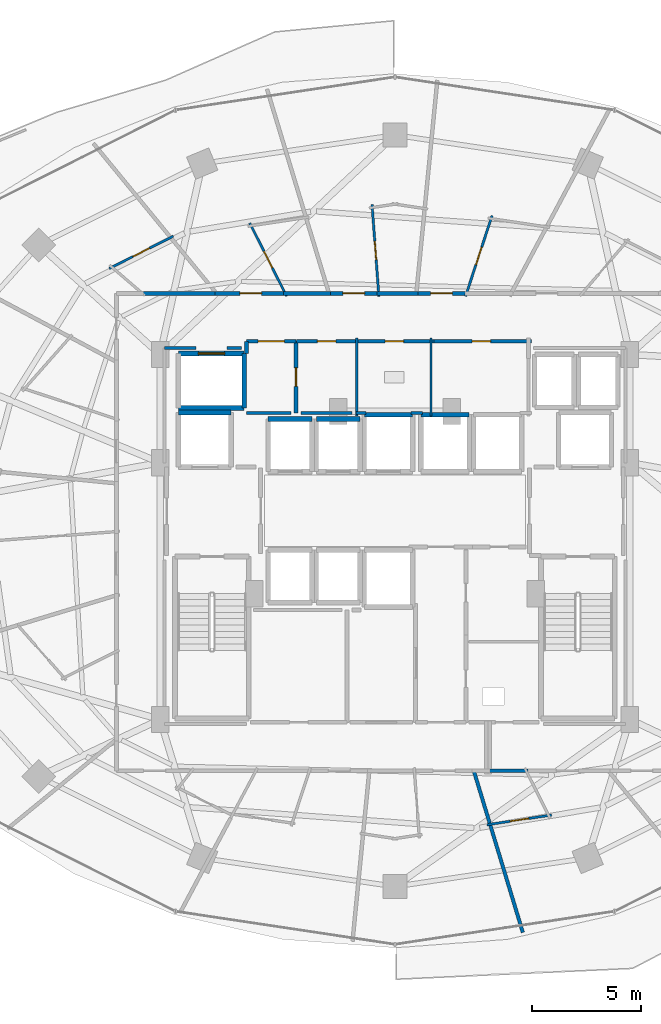
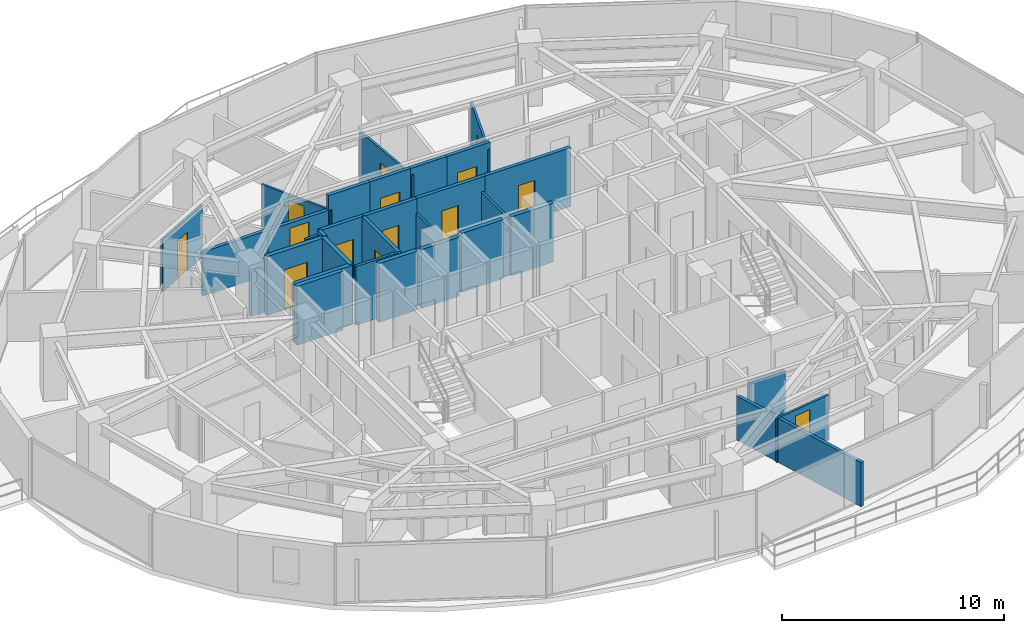
# One storey, part 23 of 29: 35 walls, 14 doors, 14 openings.
"""IFC4 building model written with IfcOpenShell, lengths in metres."""

from ifc_helpers import new_model, si_unit, direction, frame, frame_2d, origin, place, context, subcontext, project, spatial, rectangle, extrude, material, layer, layer_set, type_object, element, fill, save


model = new_model("IFC4")

# Units and contexts
model_context = context("Model", 3, precision=1e-05, world=origin(), true_north=direction((0.0, 1.0)))
body_context = subcontext(model_context, "Body", "Model", "MODEL_VIEW")
ifc_project = project(units=[si_unit("LENGTHUNIT", "METRE"), si_unit("AREAUNIT", "SQUARE_METRE"), si_unit("VOLUMEUNIT", "CUBIC_METRE"), si_unit("PLANEANGLEUNIT", "RADIAN"), si_unit("MASSUNIT", "GRAM", prefix="KILO")], contexts=[model_context])

# Site, building, storey
site_placement = place(None, origin())
site = spatial("IfcSite", under=ifc_project, at=site_placement, CompositionType="ELEMENT")
building_placement = place(site_placement, origin())
building = spatial("IfcBuilding", under=site, at=building_placement, Name="Vorneva Point Tower", CompositionType="ELEMENT")
storey_placement = place(building_placement, frame((0.0, 0.0, 110.300048828125)))
storey = spatial("IfcBuildingStorey", under=building, at=storey_placement, Name="L29", CompositionType="ELEMENT", Elevation=110.300048828125)

# Walls
ifc_material_1 = material(Name="Concrete B60 (C50/60)", Category="concrete")
ifc_layer_1 = layer(ifc_material_1, 0.5)
ifc_layer_set_1 = layer_set([ifc_layer_1], Name="Concrete B60 (C50/60)")
wall_type_1 = type_object("IfcWallType", Name="WL-CORE-500", PredefinedType="SHEAR", material=ifc_layer_set_1)
wall_1_placement = place(storey_placement, frame((30.5, 30.5, 0.0), z_axis=(0.0, 0.0, 1.0), x_axis=(-1.0, 0.0, 0.0)))
element("IfcWall", 1, at=wall_1_placement, inside=storey, type_object=wall_type_1, Name="L29 Lift FFL1 Shaft Wall +Y", PredefinedType="SHEAR", context=body_context, shape_type="SweptSolid", body=[
    extrude(rectangle(XDim=2.39990234375, YDim=0.219970703125, at=frame_2d((1.199951171875, 0.0))), origin(), (0.0, 0.0, 1.0), 3.239990234375),
])
ifc_material_2 = material(Name="Fire-rated acoustic gypsum stud partition", Category="gypsum")
ifc_layer_2 = layer(ifc_material_2, 0.110107421875)
ifc_layer_set_2 = layer_set([ifc_layer_2], Name="Fire-rated acoustic gypsum stud partition")
wall_type_2 = type_object("IfcWallType", Name="WL-PART-110", PredefinedType="PARTITIONING", material=ifc_layer_set_2)
for number, where, z_axis, x_axis, name in (
    (2, (36.25, 30.340087890625, 0.0), (0.0, 0.0, 1.0), (0.0, 1.0, 0.0), "L29 Interior Partition 017"),
    (3, (39.64990234375, 30.340087890625, 0.0), (0.0, 0.0, 1.0), (0.0, 1.0, 0.0), "L29 Interior Partition 019"),
):
    element("IfcWall", number, at=place(storey_placement, frame(where, z_axis=z_axis, x_axis=x_axis)), inside=storey, type_object=wall_type_2, Name=name, PredefinedType="PARTITIONING", context=body_context, shape_type="SweptSolid", body=[
        extrude(rectangle(XDim=3.559814453125, YDim=0.110107421875, at=frame_2d((1.77978515625, 0.0))), origin(), (0.0, 0.0, 1.0), 2.431884765625),
    ])

# Wall, opening, door
wall_2_placement = place(storey_placement, frame((41.232177734375, 35.81689453125, 0.0), z_axis=(0.0, 0.0, 1.0), x_axis=(0.312643466081, 0.949870550716, 0.0)))
wall_2 = element("IfcWall", 4, at=wall_2_placement, inside=storey, type_object=wall_type_2, Name="L29 Interior Partition 071", PredefinedType="PARTITIONING", context=body_context, shape_type="SweptSolid", body=[
    extrude(rectangle(XDim=3.885009765625, YDim=0.110107421875, at=frame_2d((1.9423828125, 0.0))), origin(), (0.0, 0.0, 1.0), 2.885986328125),
])
opening_1_placement = place(wall_2_placement, frame((1.517333984375, 0.0, 0.0)))
opening_1 = element("IfcOpeningElement", 5, at=opening_1_placement, cuts=wall_2, Name="Opening ID-02", PredefinedType="OPENING", context=body_context, shape_type="SweptSolid", body=[
    extrude(rectangle(XDim=0.85009765625, YDim=2.10009765625, at=frame_2d((0.425048828125, 1.050048828125))), frame((0.0, 0.06982421875, 0.0), z_axis=(0.0, -1.0, 0.0), x_axis=(1.0, 0.0, 0.0)), (0.0, 0.0, 1.0), 0.139892578125),
])
ifc_material_3 = material(Name="Engineered oak fire-rated door leaf", Category="wood")
door_type_1 = type_object("IfcDoorType", Name="DR-BATH-850", OperationType="NOTDEFINED", PredefinedType="DOOR", material=ifc_material_3)
door_1_placement = place(opening_1_placement, origin())
door_1 = element("IfcDoor", 6, at=door_1_placement, inside=storey, type_object=door_type_1, Name="L29 Door King Guest Room L29-03 / En-Suite Bathroom L29-03", OperationType="SINGLE_SWING_LEFT", OverallHeight=2.10009765625, OverallWidth=0.85009765625, PredefinedType="DOOR", context=body_context, shape_type="SweptSolid", body=[
    extrude(rectangle(XDim=0.85009765625, YDim=2.10009765625, at=frame_2d((0.425048828125, 1.050048828125))), frame((0.0, 0.02490234375, 0.0), z_axis=(0.0, -1.0, 0.0), x_axis=(1.0, 0.0, 0.0)), (0.0, 0.0, 1.0), 0.050048828125),
])
fill(opening_1, door_1)

wall_3_placement = place(storey_placement, frame((37.266357421875, 35.810302734375, 0.0), z_axis=(0.0, 0.0, 1.0), x_axis=(-0.074555567167, 0.99721686077, 0.0)))
wall_3 = element("IfcWall", 7, at=wall_3_placement, inside=storey, type_object=wall_type_2, Name="L29 Interior Partition 076", PredefinedType="PARTITIONING", context=body_context, shape_type="SweptSolid", body=[
    extrude(rectangle(XDim=4.220947265625, YDim=0.110107421875, at=frame_2d((2.1103515625, 0.0))), origin(), (0.0, 0.0, 1.0), 2.885986328125),
])
opening_2_placement = place(wall_3_placement, frame((1.685546875, 0.0, 0.0)))
opening_2 = element("IfcOpeningElement", 8, at=opening_2_placement, cuts=wall_3, Name="Opening ID-02", PredefinedType="OPENING", context=body_context, shape_type="SweptSolid", body=[
    extrude(rectangle(XDim=0.85009765625, YDim=2.10009765625, at=frame_2d((0.425048828125, 1.050048828125))), frame((0.0, 0.06982421875, 0.0), z_axis=(0.0, -1.0, 0.0), x_axis=(1.0, 0.0, 0.0)), (0.0, 0.0, 1.0), 0.139892578125),
])
door_2_placement = place(opening_2_placement, origin())
door_2 = element("IfcDoor", 9, at=door_2_placement, inside=storey, type_object=door_type_1, Name="L29 Door Twin Guest Room L29-04 / En-Suite Bathroom L29-04", OperationType="SINGLE_SWING_RIGHT", OverallHeight=2.10009765625, OverallWidth=0.85009765625, PredefinedType="DOOR", context=body_context, shape_type="SweptSolid", body=[
    extrude(rectangle(XDim=0.85009765625, YDim=2.10009765625, at=frame_2d((0.425048828125, 1.050048828125))), frame((0.0, 0.02490234375, 0.0), z_axis=(0.0, -1.0, 0.0), x_axis=(1.0, 0.0, 0.0)), (0.0, 0.0, 1.0), 0.050048828125),
])
fill(opening_2, door_2)

wall_4_placement = place(storey_placement, frame((33.0419921875, 35.824951171875, 0.0), z_axis=(0.0, 0.0, 1.0), x_axis=(-0.450415881942, 0.892818869253, 0.0)))
wall_4 = element("IfcWall", 10, at=wall_4_placement, inside=storey, type_object=wall_type_2, Name="L29 Interior Partition 079", PredefinedType="PARTITIONING", context=body_context, shape_type="SweptSolid", body=[
    extrude(rectangle(XDim=3.74755859375, YDim=0.110107421875, at=frame_2d((1.873779296875, 0.0))), origin(), (0.0, 0.0, 1.0), 2.431884765625),
])
opening_3_placement = place(wall_4_placement, frame((1.448974609375, 0.0, 0.0)))
opening_3 = element("IfcOpeningElement", 11, at=opening_3_placement, cuts=wall_4, Name="Opening ID-02", PredefinedType="OPENING", context=body_context, shape_type="SweptSolid", body=[
    extrude(rectangle(XDim=0.85009765625, YDim=2.10009765625, at=frame_2d((0.425048828125, 1.050048828125))), frame((0.0, 0.06982421875, 0.0), z_axis=(0.0, -1.0, 0.0), x_axis=(1.0, 0.0, 0.0)), (0.0, 0.0, 1.0), 0.139892578125),
])
door_3_placement = place(opening_3_placement, origin())
door_3 = element("IfcDoor", 12, at=door_3_placement, inside=storey, type_object=door_type_1, Name="L29 Door Deluxe Guest Room L29-05 / En-Suite Bathroom L29-05", OperationType="SINGLE_SWING_LEFT", OverallHeight=2.10009765625, OverallWidth=0.85009765625, PredefinedType="DOOR", context=body_context, shape_type="SweptSolid", body=[
    extrude(rectangle(XDim=0.85009765625, YDim=2.10009765625, at=frame_2d((0.425048828125, 1.050048828125))), frame((0.0, 0.02490234375, 0.0), z_axis=(0.0, -1.0, 0.0), x_axis=(1.0, 0.0, 0.0)), (0.0, 0.0, 1.0), 0.050048828125),
])
fill(opening_3, door_3)

wall_5_placement = place(storey_placement, frame((24.921142578125, 37.0888671875, 0.0), z_axis=(0.0, 0.0, 1.0), x_axis=(0.892504738081, 0.451038016693, 0.0)))
wall_5 = element("IfcWall", 13, at=wall_5_placement, inside=storey, type_object=wall_type_2, Name="L29 Interior Partition 081", PredefinedType="PARTITIONING", context=body_context, shape_type="SweptSolid", body=[
    extrude(rectangle(XDim=3.29052734375, YDim=0.110107421875, at=frame_2d((1.645263671875, 0.0))), origin(), (0.0, 0.0, 1.0), 2.885986328125),
])
opening_4_placement = place(wall_5_placement, frame((1.22021484375, 0.0, 0.0)))
opening_4 = element("IfcOpeningElement", 14, at=opening_4_placement, cuts=wall_5, Name="Opening ID-02", PredefinedType="OPENING", context=body_context, shape_type="SweptSolid", body=[
    extrude(rectangle(XDim=0.85009765625, YDim=2.10009765625, at=frame_2d((0.425048828125, 1.050048828125))), frame((0.0, 0.06982421875, 0.0), z_axis=(0.0, -1.0, 0.0), x_axis=(1.0, 0.0, 0.0)), (0.0, 0.0, 1.0), 0.139892578125),
])
door_4_placement = place(opening_4_placement, origin())
door_4 = element("IfcDoor", 15, at=door_4_placement, inside=storey, type_object=door_type_1, Name="L29 Door King Guest Room L29-06 / En-Suite Bathroom L29-06", OperationType="SINGLE_SWING_RIGHT", OverallHeight=2.10009765625, OverallWidth=0.85009765625, PredefinedType="DOOR", context=body_context, shape_type="SweptSolid", body=[
    extrude(rectangle(XDim=0.85009765625, YDim=2.10009765625, at=frame_2d((0.425048828125, 1.050048828125))), frame((0.0, 0.02490234375, 0.0), z_axis=(0.0, -1.0, 0.0), x_axis=(1.0, 0.0, 0.0)), (0.0, 0.0, 1.0), 0.050048828125),
])
fill(opening_4, door_4)

wall_6_placement = place(storey_placement, frame((45.17529296875, 12.07568359375, 0.0), z_axis=(0.0, 0.0, 1.0), x_axis=(-0.988865063855, -0.148814937044, 0.0)))
wall_6 = element("IfcWall", 16, at=wall_6_placement, inside=storey, type_object=wall_type_2, Name="L29 Interior Partition 106", PredefinedType="PARTITIONING", context=body_context, shape_type="SweptSolid", body=[
    extrude(rectangle(XDim=2.994140625, YDim=0.110107421875, at=frame_2d((1.4970703125, 0.0))), origin(), (0.0, 0.0, 1.0), 2.431884765625),
])
opening_5_placement = place(wall_6_placement, frame((1.072021484375, 0.0, 0.0)))
opening_5 = element("IfcOpeningElement", 17, at=opening_5_placement, cuts=wall_6, Name="Opening ID-02", PredefinedType="OPENING", context=body_context, shape_type="SweptSolid", body=[
    extrude(rectangle(XDim=0.85009765625, YDim=2.10009765625, at=frame_2d((0.425048828125, 1.050048828125))), frame((0.0, 0.06982421875, 0.0), z_axis=(0.0, -1.0, 0.0), x_axis=(1.0, 0.0, 0.0)), (0.0, 0.0, 1.0), 0.139892578125),
])
door_5_placement = place(opening_5_placement, origin())
door_5 = element("IfcDoor", 18, at=door_5_placement, inside=storey, type_object=door_type_1, Name="L29 Door Twin Guest Room L29-13 / En-Suite Bathroom L29-13", OperationType="SINGLE_SWING_LEFT", OverallHeight=2.10009765625, OverallWidth=0.85009765625, PredefinedType="DOOR", context=body_context, shape_type="SweptSolid", body=[
    extrude(rectangle(XDim=0.85009765625, YDim=2.10009765625, at=frame_2d((0.425048828125, 1.050048828125))), frame((0.0, 0.02490234375, 0.0), z_axis=(0.0, -1.0, 0.0), x_axis=(1.0, 0.0, 0.0)), (0.0, 0.0, 1.0), 0.050048828125),
])
fill(opening_5, door_5)

# Walls
ifc_layer_3 = layer(ifc_material_2, 0.139892578125)
ifc_layer_set_3 = layer_set([ifc_layer_3], Name="Fire-rated acoustic gypsum stud partition")
wall_type_3 = type_object("IfcWallType", Name="WL-PART-140", PredefinedType="PARTITIONING", material=ifc_layer_set_3)
wall_7_placement = place(storey_placement, frame((31.199951171875, 30.47998046875, 0.0), z_axis=(0.0, 0.0, 1.0), x_axis=(1.0, 0.0, 0.0)))
element("IfcWall", 19, at=wall_7_placement, inside=storey, type_object=wall_type_3, Name="L29 Interior Closure Partition 115", PredefinedType="PARTITIONING", context=body_context, shape_type="SweptSolid", body=[
    extrude(rectangle(XDim=2.050048828125, YDim=0.139892578125, at=frame_2d((1.02490234375, 0.0))), origin(), (0.0, 0.0, 1.0), 3.239990234375),
])
wall_8_placement = place(storey_placement, frame((33.699951171875, 30.47998046875, 0.0), z_axis=(0.0, 0.0, 1.0), x_axis=(1.0, 0.0, 0.0)))
element("IfcWall", 20, at=wall_8_placement, inside=storey, type_object=wall_type_3, Name="L29 Interior Closure Partition 116", PredefinedType="PARTITIONING", context=body_context, shape_type="SweptSolid", body=[
    extrude(rectangle(XDim=2.330078125, YDim=0.139892578125, at=frame_2d((1.1650390625, 0.0))), origin(), (0.0, 0.0, 1.0), 2.431884765625),
])
wall_9_placement = place(storey_placement, frame((36.219970703125, 30.47998046875, 0.0), z_axis=(0.0, 0.0, 1.0), x_axis=(1.0, 0.0, 0.0)))
element("IfcWall", 21, at=wall_9_placement, inside=storey, type_object=wall_type_3, Name="L29 Interior Closure Partition 117", PredefinedType="PARTITIONING", context=body_context, shape_type="SweptSolid", body=[
    extrude(rectangle(XDim=0.445068359375, YDim=0.139892578125, at=frame_2d((0.22265625, 0.0))), origin(), (0.0, 0.0, 1.0), 2.431884765625),
])
wall_10_placement = place(storey_placement, frame((38.735107421875, 30.47998046875, 0.0), z_axis=(0.0, 0.0, 1.0), x_axis=(1.0, 0.0, 0.0)))
element("IfcWall", 22, at=wall_10_placement, inside=storey, type_object=wall_type_3, Name="L29 Interior Closure Partition 118", PredefinedType="PARTITIONING", context=body_context, shape_type="SweptSolid", body=[
    extrude(rectangle(XDim=0.52978515625, YDim=0.139892578125, at=frame_2d((0.264892578125, 0.0))), origin(), (0.0, 0.0, 1.0), 2.431884765625),
])
wall_11_placement = place(storey_placement, frame((27.449951171875, 33.449951171875, 0.0), z_axis=(0.0, 0.0, 1.0), x_axis=(1.0, 0.0, 0.0)))
element("IfcWall", 23, at=wall_11_placement, inside=storey, type_object=wall_type_3, Name="L29 Interior Closure Partition 130", PredefinedType="PARTITIONING", context=body_context, shape_type="SweptSolid", body=[
    extrude(rectangle(XDim=1.444091796875, YDim=0.139892578125, at=frame_2d((0.72216796875, 0.0))), origin(), (0.0, 0.0, 1.0), 2.431884765625),
])
wall_12_placement = place(storey_placement, frame((30.305908203125, 33.449951171875, 0.0), z_axis=(0.0, 0.0, 1.0), x_axis=(1.0, 0.0, 0.0)))
element("IfcWall", 24, at=wall_12_placement, inside=storey, type_object=wall_type_3, Name="L29 Interior Closure Partition 131", PredefinedType="PARTITIONING", context=body_context, shape_type="SweptSolid", body=[
    extrude(rectangle(XDim=0.674072265625, YDim=0.139892578125, at=frame_2d((0.3369140625, 0.0))), origin(), (0.0, 0.0, 1.0), 3.239990234375),
])
ifc_layer_4 = layer(ifc_material_2, 0.159912109375)
ifc_layer_set_4 = layer_set([ifc_layer_4], Name="Fire-rated acoustic gypsum stud partition")
wall_type_4 = type_object("IfcWallType", Name="WL-PART-160", PredefinedType="PARTITIONING", material=ifc_layer_set_4)
wall_13_placement = place(storey_placement, frame((43.85498046875, 6.699951171875, 0.0), z_axis=(0.0, 0.0, 1.0), x_axis=(-0.290292155577, 0.956938067176, 0.0)))
element("IfcWall", 25, at=wall_13_placement, inside=storey, type_object=wall_type_4, Name="L29 Interior Partition 105", PredefinedType="PARTITIONING", context=body_context, shape_type="SweptSolid", body=[
    extrude(rectangle(XDim=7.733154296875, YDim=0.159912109375, at=frame_2d((3.86669921875, 0.0))), origin(), (0.0, 0.0, 1.0), 2.431884765625),
])

# Wall, opening, door
ifc_material_4 = material(Name="Autoclaved aerated concrete blockwork", Category="masonry")
ifc_layer_5 = layer(ifc_material_4, 0.179931640625)
ifc_layer_set_5 = layer_set([ifc_layer_5], Name="Autoclaved aerated concrete blockwork")
wall_type_5 = type_object("IfcWallType", Name="WL-PART-180", PredefinedType="PARTITIONING", material=ifc_layer_set_5)
wall_14_placement = place(storey_placement, frame((33.469970703125, 30.47998046875, 0.0), z_axis=(0.0, 0.0, 1.0), x_axis=(0.0, 1.0, 0.0)))
wall_14 = element("IfcWall", 26, at=wall_14_placement, inside=storey, type_object=wall_type_5, Name="L29 Interior Partition 006", PredefinedType="PARTITIONING", context=body_context, shape_type="SweptSolid", body=[
    extrude(rectangle(XDim=3.280029296875, YDim=0.179931640625, at=frame_2d((1.64013671875, 0.0))), origin(), (0.0, 0.0, 1.0), 3.239990234375),
])
opening_6_placement = place(wall_14_placement, frame((1.215087890625, 0.0, 0.0)))
opening_6 = element("IfcOpeningElement", 27, at=opening_6_placement, cuts=wall_14, Name="Opening ID-02", PredefinedType="OPENING", context=body_context, shape_type="SweptSolid", body=[
    extrude(rectangle(XDim=0.85009765625, YDim=2.10009765625, at=frame_2d((0.425048828125, 1.050048828125))), frame((0.0, 0.10498046875, 0.0), z_axis=(0.0, -1.0, 0.0), x_axis=(1.0, 0.0, 0.0)), (0.0, 0.0, 1.0), 0.209716796875),
])
door_6_placement = place(opening_6_placement, origin())
door_6 = element("IfcDoor", 28, at=door_6_placement, inside=storey, type_object=door_type_1, Name="L29 Door Service Lift Lobby / Core Supply Store", OperationType="SINGLE_SWING_RIGHT", OverallHeight=2.10009765625, OverallWidth=0.85009765625, PredefinedType="DOOR", context=body_context, shape_type="SweptSolid", body=[
    extrude(rectangle(XDim=0.85009765625, YDim=2.10009765625, at=frame_2d((0.425048828125, 1.050048828125))), frame((0.0, 0.02490234375, 0.0), z_axis=(0.0, -1.0, 0.0), x_axis=(1.0, 0.0, 0.0)), (0.0, 0.0, 1.0), 0.050048828125),
])
fill(opening_6, door_6)

wall_15_placement = place(storey_placement, frame((33.469970703125, 33.760009765625, 0.0), z_axis=(0.0, 0.0, 1.0), x_axis=(-1.0, 0.0, 0.0)))
wall_15 = element("IfcWall", 29, at=wall_15_placement, inside=storey, type_object=wall_type_5, Name="L29 Interior Partition 007", PredefinedType="PARTITIONING", context=body_context, shape_type="SweptSolid", body=[
    extrude(rectangle(XDim=2.27001953125, YDim=0.179931640625, at=frame_2d((1.135009765625, 0.0))), origin(), (0.0, 0.0, 1.0), 3.239990234375),
])
opening_7_placement = place(wall_15_placement, frame((0.534912109375, 0.0, 0.0)))
opening_7 = element("IfcOpeningElement", 30, at=opening_7_placement, cuts=wall_15, Name="Opening FD-02", PredefinedType="OPENING", context=body_context, shape_type="SweptSolid", body=[
    extrude(rectangle(XDim=1.199951171875, YDim=2.14990234375, at=frame_2d((0.60009765625, 1.074951171875))), frame((0.0, 0.10498046875, 0.0), z_axis=(0.0, -1.0, 0.0), x_axis=(1.0, 0.0, 0.0)), (0.0, 0.0, 1.0), 0.209716796875),
])
ifc_material_5 = material(Name="Fire-rated powder-coated steel", Category="steel")
door_type_2 = type_object("IfcDoorType", Name="DR-FFL-1200", OperationType="NOTDEFINED", PredefinedType="DOOR", material=ifc_material_5)
door_7_placement = place(opening_7_placement, origin())
door_7 = element("IfcDoor", 31, at=door_7_placement, inside=storey, type_object=door_type_2, Name="L29 Door Service Lift Lobby / L29 Circulation Corridor", OperationType="SINGLE_SWING_LEFT", OverallHeight=2.14990234375, OverallWidth=1.199951171875, PredefinedType="DOOR", context=body_context, shape_type="SweptSolid", body=[
    extrude(rectangle(XDim=1.199951171875, YDim=2.14990234375, at=frame_2d((0.60009765625, 1.074951171875))), frame((0.0, 0.02490234375, 0.0), z_axis=(0.0, -1.0, 0.0), x_axis=(1.0, 0.0, 0.0)), (0.0, 0.0, 1.0), 0.050048828125),
])
fill(opening_7, door_7)

# Wall
wall_16_placement = place(storey_placement, frame((31.199951171875, 33.760009765625, 0.0), z_axis=(0.0, 0.0, 1.0), x_axis=(0.0, -1.0, 0.0)))
element("IfcWall", 32, at=wall_16_placement, inside=storey, type_object=wall_type_5, Name="L29 Interior Partition 008", PredefinedType="PARTITIONING", context=body_context, shape_type="SweptSolid", body=[
    extrude(rectangle(XDim=0.56005859375, YDim=0.179931640625, at=frame_2d((0.280029296875, 0.0))), origin(), (0.0, 0.0, 1.0), 3.239990234375),
])

# Wall, opening, door
wall_17_placement = place(storey_placement, frame((36.25, 33.760009765625, 0.0), z_axis=(0.0, 0.0, 1.0), x_axis=(-1.0, 0.0, 0.0)))
wall_17 = element("IfcWall", 33, at=wall_17_placement, inside=storey, type_object=wall_type_5, Name="L29 Interior Partition 018", PredefinedType="PARTITIONING", context=body_context, shape_type="SweptSolid", body=[
    extrude(rectangle(XDim=2.75, YDim=0.179931640625, at=frame_2d((1.375, 0.0))), origin(), (0.0, 0.0, 1.0), 3.239990234375),
])
opening_8_placement = place(wall_17_placement, frame((0.949951171875, 0.0, 0.0)))
opening_8 = element("IfcOpeningElement", 34, at=opening_8_placement, cuts=wall_17, Name="Opening ID-02", PredefinedType="OPENING", context=body_context, shape_type="SweptSolid", body=[
    extrude(rectangle(XDim=0.85009765625, YDim=2.10009765625, at=frame_2d((0.425048828125, 1.050048828125))), frame((0.0, 0.10498046875, 0.0), z_axis=(0.0, -1.0, 0.0), x_axis=(1.0, 0.0, 0.0)), (0.0, 0.0, 1.0), 0.209716796875),
])
door_8_placement = place(opening_8_placement, origin())
door_8 = element("IfcDoor", 35, at=door_8_placement, inside=storey, type_object=door_type_1, Name="L29 Door Core Supply Store / L29 Circulation Corridor", OperationType="SINGLE_SWING_LEFT", OverallHeight=2.10009765625, OverallWidth=0.85009765625, PredefinedType="DOOR", context=body_context, shape_type="SweptSolid", body=[
    extrude(rectangle(XDim=0.85009765625, YDim=2.10009765625, at=frame_2d((0.425048828125, 1.050048828125))), frame((0.0, 0.02490234375, 0.0), z_axis=(0.0, -1.0, 0.0), x_axis=(1.0, 0.0, 0.0)), (0.0, 0.0, 1.0), 0.050048828125),
])
fill(opening_8, door_8)

wall_18_placement = place(storey_placement, frame((39.7900390625, 33.760009765625, 0.0), z_axis=(0.0, 0.0, 1.0), x_axis=(-1.0, 0.0, 0.0)))
wall_18 = element("IfcWall", 36, at=wall_18_placement, inside=storey, type_object=wall_type_5, Name="L29 Interior Partition 020", PredefinedType="PARTITIONING", context=body_context, shape_type="SweptSolid", body=[
    extrude(rectangle(XDim=3.630126953125, YDim=0.179931640625, at=frame_2d((1.81494140625, 0.0))), origin(), (0.0, 0.0, 1.0), 3.239990234375),
])
opening_9_placement = place(wall_18_placement, frame((1.389892578125, 0.0, 0.0)))
opening_9 = element("IfcOpeningElement", 37, at=opening_9_placement, cuts=wall_18, Name="Opening ID-02", PredefinedType="OPENING", context=body_context, shape_type="SweptSolid", body=[
    extrude(rectangle(XDim=0.85009765625, YDim=2.10009765625, at=frame_2d((0.425048828125, 1.050048828125))), frame((0.0, 0.10498046875, 0.0), z_axis=(0.0, -1.0, 0.0), x_axis=(1.0, 0.0, 0.0)), (0.0, 0.0, 1.0), 0.209716796875),
])
door_9_placement = place(opening_9_placement, origin())
door_9 = element("IfcDoor", 38, at=door_9_placement, inside=storey, type_object=door_type_1, Name="L29 Door Accessible WC / L29 Circulation Corridor", OperationType="SINGLE_SWING_RIGHT", OverallHeight=2.10009765625, OverallWidth=0.85009765625, PredefinedType="DOOR", context=body_context, shape_type="SweptSolid", body=[
    extrude(rectangle(XDim=0.85009765625, YDim=2.10009765625, at=frame_2d((0.425048828125, 1.050048828125))), frame((0.0, 0.02490234375, 0.0), z_axis=(0.0, -1.0, 0.0), x_axis=(1.0, 0.0, 0.0)), (0.0, 0.0, 1.0), 0.050048828125),
])
fill(opening_9, door_9)

wall_19_placement = place(storey_placement, frame((44.260009765625, 33.760009765625, 0.0), z_axis=(0.0, 0.0, 1.0), x_axis=(-1.0, 0.0, 0.0)))
wall_19 = element("IfcWall", 39, at=wall_19_placement, inside=storey, type_object=wall_type_5, Name="L29 Interior Partition 021", PredefinedType="PARTITIONING", context=body_context, shape_type="SweptSolid", body=[
    extrude(rectangle(XDim=4.610107421875, YDim=0.179931640625, at=frame_2d((2.30517578125, 0.0))), origin(), (0.0, 0.0, 1.0), 3.239990234375),
])
opening_10_placement = place(wall_19_placement, frame((1.8798828125, 0.0, 0.0)))
opening_10 = element("IfcOpeningElement", 40, at=opening_10_placement, cuts=wall_19, Name="Opening ID-02", PredefinedType="OPENING", context=body_context, shape_type="SweptSolid", body=[
    extrude(rectangle(XDim=0.85009765625, YDim=2.10009765625, at=frame_2d((0.425048828125, 1.050048828125))), frame((0.0, 0.10498046875, 0.0), z_axis=(0.0, -1.0, 0.0), x_axis=(1.0, 0.0, 0.0)), (0.0, 0.0, 1.0), 0.209716796875),
])
door_10_placement = place(opening_10_placement, origin())
door_10 = element("IfcDoor", 41, at=door_10_placement, inside=storey, type_object=door_type_1, Name="L29 Door Public WC / L29 Circulation Corridor", OperationType="SINGLE_SWING_LEFT", OverallHeight=2.10009765625, OverallWidth=0.85009765625, PredefinedType="DOOR", context=body_context, shape_type="SweptSolid", body=[
    extrude(rectangle(XDim=0.85009765625, YDim=2.10009765625, at=frame_2d((0.425048828125, 1.050048828125))), frame((0.0, 0.02490234375, 0.0), z_axis=(0.0, -1.0, 0.0), x_axis=(1.0, 0.0, 0.0)), (0.0, 0.0, 1.0), 0.050048828125),
])
fill(opening_10, door_10)

wall_20_placement = place(storey_placement, frame((41.339111328125, 35.949951171875, 0.0), z_axis=(0.0, 0.0, 1.0), x_axis=(-1.0, 0.0, 0.0)))
wall_20 = element("IfcWall", 42, at=wall_20_placement, inside=storey, type_object=wall_type_5, Name="L29 Interior Partition 031", PredefinedType="PARTITIONING", context=body_context, shape_type="SweptSolid", body=[
    extrude(rectangle(XDim=2.419189453125, YDim=0.179931640625, at=frame_2d((1.20947265625, 0.0))), origin(), (0.0, 0.0, 1.0), 3.239990234375),
])
opening_11_placement = place(wall_20_placement, frame((0.70947265625, 0.0, 0.0)))
opening_11 = element("IfcOpeningElement", 43, at=opening_11_placement, cuts=wall_20, Name="Opening UD-01", PredefinedType="OPENING", context=body_context, shape_type="SweptSolid", body=[
    extrude(rectangle(XDim=1.0, YDim=2.14990234375, at=frame_2d((0.5, 1.074951171875))), frame((0.0, 0.10498046875, 0.0), z_axis=(0.0, -1.0, 0.0), x_axis=(1.0, 0.0, 0.0)), (0.0, 0.0, 1.0), 0.209716796875),
])
door_type_3 = type_object("IfcDoorType", Name="DR-UNIT-1000", OperationType="NOTDEFINED", PredefinedType="DOOR", material=ifc_material_3)
door_11_placement = place(opening_11_placement, origin())
door_11 = element("IfcDoor", 44, at=door_11_placement, inside=storey, type_object=door_type_3, Name="L29 Door L29 Circulation Corridor / King Guest Room L29-03", OperationType="SINGLE_SWING_RIGHT", OverallHeight=2.14990234375, OverallWidth=1.0, PredefinedType="DOOR", context=body_context, shape_type="SweptSolid", body=[
    extrude(rectangle(XDim=1.0, YDim=2.14990234375, at=frame_2d((0.5, 1.074951171875))), frame((0.0, 0.02490234375, 0.0), z_axis=(0.0, -1.0, 0.0), x_axis=(1.0, 0.0, 0.0)), (0.0, 0.0, 1.0), 0.050048828125),
])
fill(opening_11, door_11)

wall_21_placement = place(storey_placement, frame((37.31591796875, 35.949951171875, 0.0), z_axis=(0.0, 0.0, 1.0), x_axis=(-1.0, 0.0, 0.0)))
wall_21 = element("IfcWall", 45, at=wall_21_placement, inside=storey, type_object=wall_type_5, Name="L29 Interior Partition 033", PredefinedType="PARTITIONING", context=body_context, shape_type="SweptSolid", body=[
    extrude(rectangle(XDim=2.39697265625, YDim=0.179931640625, at=frame_2d((1.198486328125, 0.0))), origin(), (0.0, 0.0, 1.0), 3.239990234375),
])
opening_12_placement = place(wall_21_placement, frame((0.698486328125, 0.0, 0.0)))
opening_12 = element("IfcOpeningElement", 46, at=opening_12_placement, cuts=wall_21, Name="Opening UD-01", PredefinedType="OPENING", context=body_context, shape_type="SweptSolid", body=[
    extrude(rectangle(XDim=1.0, YDim=2.14990234375, at=frame_2d((0.5, 1.074951171875))), frame((0.0, 0.10498046875, 0.0), z_axis=(0.0, -1.0, 0.0), x_axis=(1.0, 0.0, 0.0)), (0.0, 0.0, 1.0), 0.209716796875),
])
door_12_placement = place(opening_12_placement, origin())
door_12 = element("IfcDoor", 47, at=door_12_placement, inside=storey, type_object=door_type_3, Name="L29 Door L29 Circulation Corridor / Twin Guest Room L29-04", OperationType="SINGLE_SWING_LEFT", OverallHeight=2.14990234375, OverallWidth=1.0, PredefinedType="DOOR", context=body_context, shape_type="SweptSolid", body=[
    extrude(rectangle(XDim=1.0, YDim=2.14990234375, at=frame_2d((0.5, 1.074951171875))), frame((0.0, 0.02490234375, 0.0), z_axis=(0.0, -1.0, 0.0), x_axis=(1.0, 0.0, 0.0)), (0.0, 0.0, 1.0), 0.050048828125),
])
fill(opening_12, door_12)

# Wall
wall_22_placement = place(storey_placement, frame((39.06005859375, 35.949951171875, 0.0), z_axis=(0.0, 0.0, 1.0), x_axis=(-1.0, 0.0, 0.0)))
element("IfcWall", 48, at=wall_22_placement, inside=storey, type_object=wall_type_5, Name="L29 Interior Partition 034", PredefinedType="PARTITIONING", context=body_context, shape_type="SweptSolid", body=[
    extrude(rectangle(XDim=1.884033203125, YDim=0.179931640625, at=frame_2d((0.94189453125, 0.0))), origin(), (0.0, 0.0, 1.0), 3.239990234375),
])

# Wall, opening, door
wall_23_placement = place(storey_placement, frame((33.0390625, 35.949951171875, 0.0), z_axis=(0.0, 0.0, 1.0), x_axis=(-1.0, 0.0, 0.0)))
wall_23 = element("IfcWall", 49, at=wall_23_placement, inside=storey, type_object=wall_type_5, Name="L29 Interior Partition 035", PredefinedType="PARTITIONING", context=body_context, shape_type="SweptSolid", body=[
    extrude(rectangle(XDim=3.282958984375, YDim=0.179931640625, at=frame_2d((1.6416015625, 0.0))), origin(), (0.0, 0.0, 1.0), 2.431884765625),
])
opening_13_placement = place(wall_23_placement, frame((1.1416015625, 0.0, 0.0)))
opening_13 = element("IfcOpeningElement", 50, at=opening_13_placement, cuts=wall_23, Name="Opening UD-01", PredefinedType="OPENING", context=body_context, shape_type="SweptSolid", body=[
    extrude(rectangle(XDim=1.0, YDim=2.14990234375, at=frame_2d((0.5, 1.074951171875))), frame((0.0, 0.10498046875, 0.0), z_axis=(0.0, -1.0, 0.0), x_axis=(1.0, 0.0, 0.0)), (0.0, 0.0, 1.0), 0.209716796875),
])
door_13_placement = place(opening_13_placement, origin())
door_13 = element("IfcDoor", 51, at=door_13_placement, inside=storey, type_object=door_type_3, Name="L29 Door L29 Circulation Corridor / Deluxe Guest Room L29-05", OperationType="SINGLE_SWING_RIGHT", OverallHeight=2.14990234375, OverallWidth=1.0, PredefinedType="DOOR", context=body_context, shape_type="SweptSolid", body=[
    extrude(rectangle(XDim=1.0, YDim=2.14990234375, at=frame_2d((0.5, 1.074951171875))), frame((0.0, 0.02490234375, 0.0), z_axis=(0.0, -1.0, 0.0), x_axis=(1.0, 0.0, 0.0)), (0.0, 0.0, 1.0), 0.050048828125),
])
fill(opening_13, door_13)

# Walls
wall_24_placement = place(storey_placement, frame((35.05908203125, 35.949951171875, 0.0), z_axis=(0.0, 0.0, 1.0), x_axis=(-1.0, 0.0, 0.0)))
element("IfcWall", 52, at=wall_24_placement, inside=storey, type_object=wall_type_5, Name="L29 Interior Partition 036", PredefinedType="PARTITIONING", context=body_context, shape_type="SweptSolid", body=[
    extrude(rectangle(XDim=2.16015625, YDim=0.179931640625, at=frame_2d((1.080078125, 0.0))), origin(), (0.0, 0.0, 1.0), 3.239990234375),
])
wall_25_placement = place(storey_placement, frame((29.89599609375, 35.949951171875, 0.0), z_axis=(0.0, 0.0, 1.0), x_axis=(-1.0, 0.0, 0.0)))
element("IfcWall", 53, at=wall_25_placement, inside=storey, type_object=wall_type_5, Name="L29 Interior Partition 039", PredefinedType="PARTITIONING", context=body_context, shape_type="SweptSolid", body=[
    extrude(rectangle(XDim=3.533935546875, YDim=0.179931640625, at=frame_2d((1.76708984375, 0.0))), origin(), (0.0, 0.0, 1.0), 2.431884765625),
])
wall_26_placement = place(storey_placement, frame((42.199951171875, 14.10009765625, 0.0), z_axis=(0.0, 0.0, 1.0), x_axis=(1.0, 0.0, 0.0)))
element("IfcWall", 54, at=wall_26_placement, inside=storey, type_object=wall_type_5, Name="L29 Interior Partition 055", PredefinedType="PARTITIONING", context=body_context, shape_type="SweptSolid", body=[
    extrude(rectangle(XDim=1.885009765625, YDim=0.179931640625, at=frame_2d((0.9423828125, 0.0))), origin(), (0.0, 0.0, 1.0), 2.928955078125),
])
ifc_material_6 = material(Name="Concrete B50 (C40/50)", Category="concrete")
ifc_layer_6 = layer(ifc_material_6, 0.219970703125)
ifc_layer_set_6 = layer_set([ifc_layer_6], Name="Concrete B50 (C40/50)")
wall_type_6 = type_object("IfcWallType", Name="WL-SHFT-220", PredefinedType="SOLIDWALL", material=ifc_layer_set_6)
for number, where, z_axis, x_axis, name in (
    (55, (34.199951171875, 30.199951171875, 0.0), (0.0, 0.0, 1.0), (-1.0, 0.0, 0.0), "L29 Lift PL1 Shaft Wall +Y"),
    (56, (36.39990234375, 30.199951171875, 0.0), (0.0, 0.0, 1.0), (-1.0, 0.0, 0.0), "L29 Lift PL2 Shaft Wall +Y"),
):
    element("IfcWall", number, at=place(storey_placement, frame(where, z_axis=z_axis, x_axis=x_axis)), inside=storey, type_object=wall_type_6, Name=name, PredefinedType="SOLIDWALL", context=body_context, shape_type="SweptSolid", body=[
        extrude(rectangle(XDim=2.0, YDim=0.219970703125, at=frame_2d((1.0, 0.0))), origin(), (0.0, 0.0, 1.0), 3.239990234375),
    ])
for number, where, z_axis, x_axis, name in (
    (57, (38.800048828125, 30.39990234375, 0.0), (0.0, 0.0, 1.0), (-1.0, 0.0, 0.0), "L29 Lift PL3 Shaft Wall +Y"),
    (58, (41.39990234375, 30.39990234375, 0.0), (0.0, 0.0, 1.0), (-1.0, 0.0, 0.0), "L29 Lift PL7 Shaft Wall +Y"),
):
    element("IfcWall", number, at=place(storey_placement, frame(where, z_axis=z_axis, x_axis=x_axis)), inside=storey, type_object=wall_type_6, Name=name, PredefinedType="SOLIDWALL", context=body_context, shape_type="SweptSolid", body=[
        extrude(rectangle(XDim=2.199951171875, YDim=0.219970703125, at=frame_2d((1.10009765625, 0.0))), origin(), (0.0, 0.0, 1.0), 3.239990234375),
    ])
wall_27_placement = place(storey_placement, frame((28.10009765625, 30.699951171875, 0.0), z_axis=(0.0, 0.0, 1.0), x_axis=(1.0, 0.0, 0.0)))
element("IfcWall", 59, at=wall_27_placement, inside=storey, type_object=wall_type_6, Name="L29 Lift SVL1 Shaft Wall -Y", PredefinedType="SOLIDWALL", context=body_context, shape_type="SweptSolid", body=[
    extrude(rectangle(XDim=3.0, YDim=0.219970703125, at=frame_2d((1.5, 0.0))), origin(), (0.0, 0.0, 1.0), 3.239990234375),
])
wall_28_placement = place(storey_placement, frame((31.10009765625, 30.699951171875, 0.0), z_axis=(0.0, 0.0, 1.0), x_axis=(0.0, 1.0, 0.0)))
element("IfcWall", 60, at=wall_28_placement, inside=storey, type_object=wall_type_6, Name="L29 Lift SVL1 Shaft Wall +X", PredefinedType="SOLIDWALL", context=body_context, shape_type="SweptSolid", body=[
    extrude(rectangle(XDim=2.5, YDim=0.219970703125, at=frame_2d((1.25, 0.0))), origin(), (0.0, 0.0, 1.0), 3.239990234375),
])

# Wall, opening, door
wall_29_placement = place(storey_placement, frame((31.10009765625, 33.199951171875, 0.0), z_axis=(0.0, 0.0, 1.0), x_axis=(-1.0, 0.0, 0.0)))
wall_29 = element("IfcWall", 61, at=wall_29_placement, inside=storey, type_object=wall_type_6, Name="L29 Lift SVL1 Shaft Wall +Y", PredefinedType="SOLIDWALL", context=body_context, shape_type="SweptSolid", body=[
    extrude(rectangle(XDim=3.0, YDim=0.219970703125, at=frame_2d((1.5, 0.0))), origin(), (0.0, 0.0, 1.0), 3.239990234375),
])
opening_14_placement = place(wall_29_placement, frame((0.89990234375, 0.0, 0.0)))
opening_14 = element("IfcOpeningElement", 62, at=opening_14_placement, cuts=wall_29, Name="Opening LD-02", PredefinedType="OPENING", context=body_context, shape_type="SweptSolid", body=[
    extrude(rectangle(XDim=1.199951171875, YDim=2.199951171875, at=frame_2d((0.60009765625, 1.10009765625))), frame((0.0, 0.125, 0.0), z_axis=(0.0, -1.0, 0.0), x_axis=(1.0, 0.0, 0.0)), (0.0, 0.0, 1.0), 0.249755859375),
])
ifc_material_7 = material(Name="Brushed stainless steel S304", Category="steel")
door_type_4 = type_object("IfcDoorType", Name="LD-FIRE-1200", OperationType="SLIDING_TO_LEFT", PredefinedType="DOOR", material=ifc_material_7)
door_14_placement = place(opening_14_placement, origin())
door_14 = element("IfcDoor", 63, at=door_14_placement, inside=storey, type_object=door_type_4, Name="L29 Lift SVL1 Sliding Landing Door", OperationType="SLIDING_TO_LEFT", OverallHeight=2.199951171875, OverallWidth=1.199951171875, PredefinedType="DOOR", context=body_context, shape_type="SweptSolid", body=[
    extrude(rectangle(XDim=1.199951171875, YDim=2.199951171875, at=frame_2d((0.60009765625, 1.10009765625))), frame((0.0, 0.02490234375, 0.0), z_axis=(0.0, -1.0, 0.0), x_axis=(1.0, 0.0, 0.0)), (0.0, 0.0, 1.0), 0.050048828125),
])
fill(opening_14, door_14)

save(model, "model.ifc")
